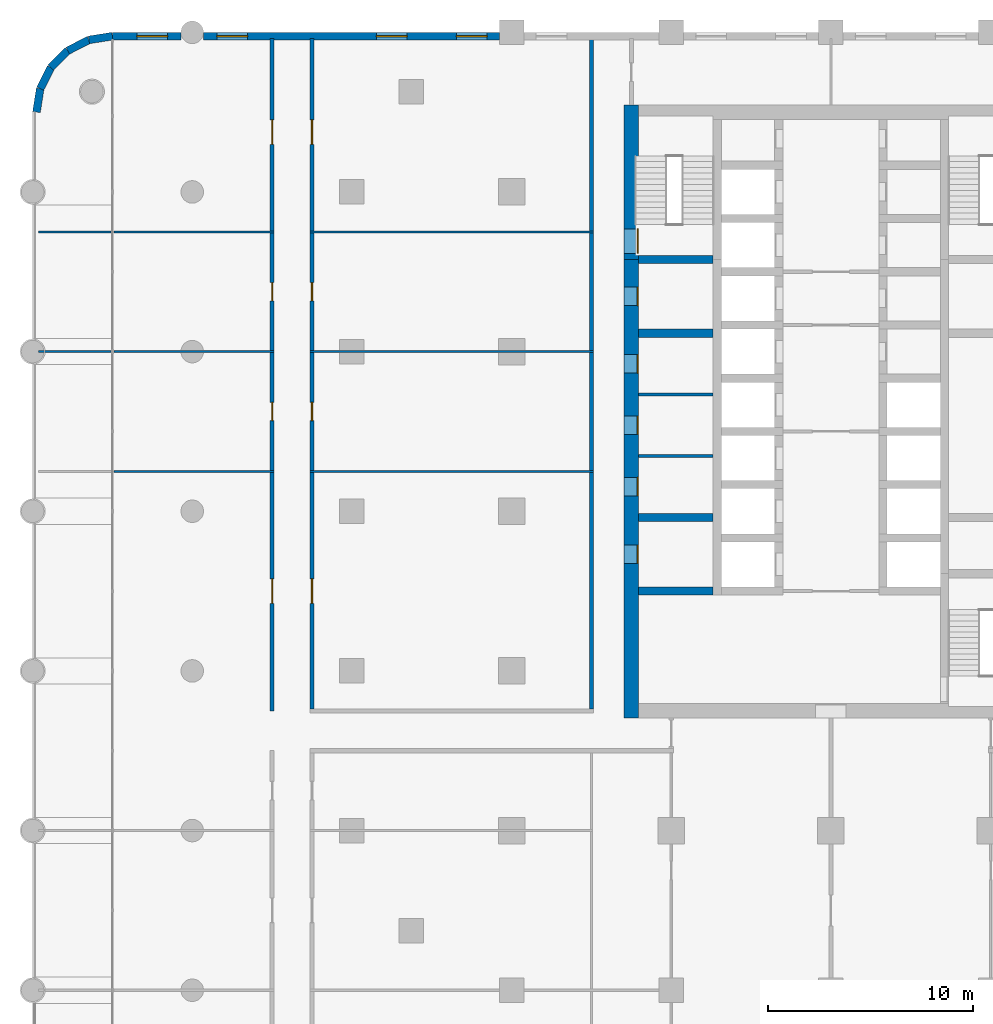
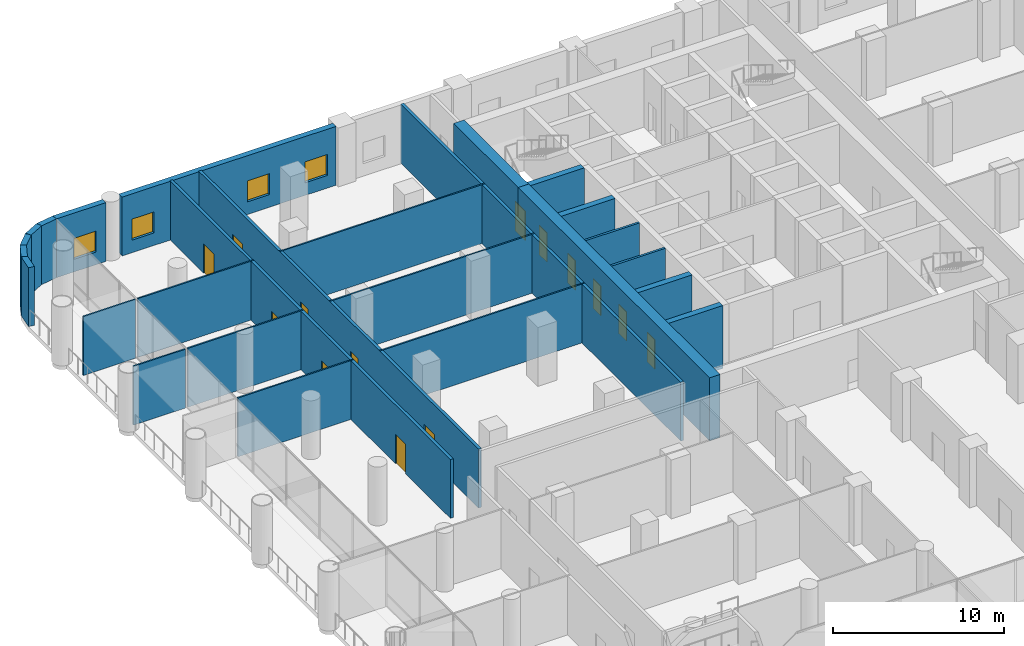
# One storey, part 11 of 24: 26 walls, 14 doors, 4 windows, 18 openings.
"""IFC4 building model written with IfcOpenShell, lengths in metres."""

from ifc_helpers import new_model, si_unit, direction, frame, frame_2d, origin, place, context, subcontext, project, spatial, rectangle, extrude, material, layer, layer_set, type_object, element, fill, save


model = new_model("IFC4")

# Units and contexts
model_context = context("Model", 3, precision=1e-05, world=origin(), true_north=direction((0.0, 1.0)))
body_context = subcontext(model_context, "Body", "Model", "MODEL_VIEW")
ifc_project = project(units=[si_unit("LENGTHUNIT", "METRE"), si_unit("AREAUNIT", "SQUARE_METRE"), si_unit("VOLUMEUNIT", "CUBIC_METRE"), si_unit("PLANEANGLEUNIT", "RADIAN"), si_unit("MASSUNIT", "GRAM", prefix="KILO")], contexts=[model_context])

# Site, building, storey
site_placement = place(None, origin())
site = spatial("IfcSite", under=ifc_project, at=site_placement, CompositionType="ELEMENT")
building_placement = place(site_placement, origin())
building = spatial("IfcBuilding", under=site, at=building_placement, Name="Ludao Terraces", CompositionType="ELEMENT")
storey_placement = place(building_placement, frame((0.0, 0.0, 6.0)))
storey = spatial("IfcBuildingStorey", under=building, at=storey_placement, Name="L01", CompositionType="ELEMENT", Elevation=6.0)

# Wall, openings, doors
ifc_material_1 = material(Name="Concrete C70", Category="concrete")
ifc_layer_1 = layer(ifc_material_1, 0.699951171875)
ifc_layer_set_1 = layer_set([ifc_layer_1], Name="Core wall 700 C70")
wall_type_1 = type_object("IfcWallType", Name="Core wall 700 C70", PredefinedType="SOLIDWALL", material=ifc_layer_set_1)
wall_1_placement = place(storey_placement, frame((75.25, 54.89990234375, -0.300048828125), z_axis=(0.0, 0.0, 1.0), x_axis=(0.0, 1.0, 0.0)))
wall_1 = element("IfcWall", 1, at=wall_1_placement, inside=storey, type_object=wall_type_1, Name="Core wall L01 outer-W", PredefinedType="SOLIDWALL", context=body_context, shape_type="SweptSolid", body=[
    extrude(rectangle(XDim=22.400146484375, YDim=0.699951171875, at=frame_2d((11.2001953125, 0.0))), origin(), (0.0, 0.0, 1.0), 4.5),
])
opening_1_placement = place(wall_1_placement, frame((7.550048828125, 0.0, 0.300048828125)))
opening_1 = element("IfcOpeningElement", 2, at=opening_1_placement, cuts=wall_1, Name="Opening L01-037", PredefinedType="OPENING", context=body_context, shape_type="SweptSolid", body=[
    extrude(rectangle(XDim=0.89990234375, YDim=2.10009765625, at=frame_2d((0.449951171875, 1.050048828125))), frame((0.0, 0.35986328125, 0.0), z_axis=(0.0, -1.0, 0.0), x_axis=(1.0, 0.0, 0.0)), (0.0, 0.0, 1.0), 0.719970703125),
])
opening_2_placement = place(wall_1_placement, frame((10.85009765625, 0.0, 0.300048828125)))
opening_2 = element("IfcOpeningElement", 3, at=opening_2_placement, cuts=wall_1, Name="Opening L01-040", PredefinedType="OPENING", context=body_context, shape_type="SweptSolid", body=[
    extrude(rectangle(XDim=0.89990234375, YDim=2.10009765625, at=frame_2d((0.449951171875, 1.050048828125))), frame((0.0, 0.35986328125, 0.0), z_axis=(0.0, -1.0, 0.0), x_axis=(1.0, 0.0, 0.0)), (0.0, 0.0, 1.0), 0.719970703125),
])
opening_3_placement = place(wall_1_placement, frame((13.85009765625, 0.0, 0.300048828125)))
opening_3 = element("IfcOpeningElement", 4, at=opening_3_placement, cuts=wall_1, Name="Opening L01-045", PredefinedType="OPENING", context=body_context, shape_type="SweptSolid", body=[
    extrude(rectangle(XDim=0.89990234375, YDim=2.10009765625, at=frame_2d((0.449951171875, 1.050048828125))), frame((0.0, 0.35986328125, 0.0), z_axis=(0.0, -1.0, 0.0), x_axis=(1.0, 0.0, 0.0)), (0.0, 0.0, 1.0), 0.719970703125),
])
opening_4_placement = place(wall_1_placement, frame((16.85009765625, 0.0, 0.300048828125)))
opening_4 = element("IfcOpeningElement", 5, at=opening_4_placement, cuts=wall_1, Name="Opening L01-050", PredefinedType="OPENING", context=body_context, shape_type="SweptSolid", body=[
    extrude(rectangle(XDim=0.89990234375, YDim=2.10009765625, at=frame_2d((0.449951171875, 1.050048828125))), frame((0.0, 0.35986328125, 0.0), z_axis=(0.0, -1.0, 0.0), x_axis=(1.0, 0.0, 0.0)), (0.0, 0.0, 1.0), 0.719970703125),
])
opening_5_placement = place(wall_1_placement, frame((20.14990234375, 0.0, 0.300048828125)))
opening_5 = element("IfcOpeningElement", 6, at=opening_5_placement, cuts=wall_1, Name="Opening L01-056", PredefinedType="OPENING", context=body_context, shape_type="SweptSolid", body=[
    extrude(rectangle(XDim=0.89990234375, YDim=2.10009765625, at=frame_2d((0.449951171875, 1.050048828125))), frame((0.0, 0.35986328125, 0.0), z_axis=(0.0, -1.0, 0.0), x_axis=(1.0, 0.0, 0.0)), (0.0, 0.0, 1.0), 0.719970703125),
])
ifc_material_2 = material(Name="Steel Q235", Category="steel")
door_type_1 = type_object("IfcDoorType", Name="INT Riser door 900", OperationType="SINGLE_SWING_LEFT", PredefinedType="DOOR", material=ifc_material_2)
door_1_placement = place(opening_1_placement, origin())
door_1 = element("IfcDoor", 7, at=door_1_placement, inside=storey, type_object=door_type_1, Name="DOOR 037", OperationType="SINGLE_SWING_RIGHT", OverallHeight=2.10009765625, OverallWidth=0.89990234375, PredefinedType="DOOR", context=body_context, shape_type="SweptSolid", body=[
    extrude(rectangle(XDim=0.89990234375, YDim=2.10009765625, at=frame_2d((0.449951171875, 1.050048828125))), frame((0.0, -0.28515625, 0.0), z_axis=(0.0, -1.0, 0.0), x_axis=(1.0, 0.0, 0.0)), (0.0, 0.0, 1.0), 0.050048828125),
])
fill(opening_1, door_1)
door_2_placement = place(opening_5_placement, origin())
door_2 = element("IfcDoor", 8, at=door_2_placement, inside=storey, type_object=door_type_1, Name="DOOR 056", OperationType="SINGLE_SWING_RIGHT", OverallHeight=2.10009765625, OverallWidth=0.89990234375, PredefinedType="DOOR", context=body_context, shape_type="SweptSolid", body=[
    extrude(rectangle(XDim=0.89990234375, YDim=2.10009765625, at=frame_2d((0.449951171875, 1.050048828125))), frame((0.0, -0.28515625, 0.0), z_axis=(0.0, -1.0, 0.0), x_axis=(1.0, 0.0, 0.0)), (0.0, 0.0, 1.0), 0.050048828125),
])
fill(opening_5, door_2)
ifc_material_3 = material(Name="Timber door leaf", Category="wood")
door_type_2 = type_object("IfcDoorType", Name="INT Room door 900", OperationType="SINGLE_SWING_LEFT", PredefinedType="DOOR", material=ifc_material_3)
door_3_placement = place(opening_2_placement, origin())
door_3 = element("IfcDoor", 9, at=door_3_placement, inside=storey, type_object=door_type_2, Name="DOOR 040", OperationType="SINGLE_SWING_RIGHT", OverallHeight=2.10009765625, OverallWidth=0.89990234375, PredefinedType="DOOR", context=body_context, shape_type="SweptSolid", body=[
    extrude(rectangle(XDim=0.89990234375, YDim=2.10009765625, at=frame_2d((0.449951171875, 1.050048828125))), frame((0.0, -0.28515625, 0.0), z_axis=(0.0, -1.0, 0.0), x_axis=(1.0, 0.0, 0.0)), (0.0, 0.0, 1.0), 0.050048828125),
])
fill(opening_2, door_3)
door_4_placement = place(opening_3_placement, origin())
door_4 = element("IfcDoor", 10, at=door_4_placement, inside=storey, type_object=door_type_2, Name="DOOR 045", OperationType="SINGLE_SWING_LEFT", OverallHeight=2.10009765625, OverallWidth=0.89990234375, PredefinedType="DOOR", context=body_context, shape_type="SweptSolid", body=[
    extrude(rectangle(XDim=0.89990234375, YDim=2.10009765625, at=frame_2d((0.449951171875, 1.050048828125))), frame((0.0, -0.28515625, 0.0), z_axis=(0.0, -1.0, 0.0), x_axis=(1.0, 0.0, 0.0)), (0.0, 0.0, 1.0), 0.050048828125),
])
fill(opening_3, door_4)
door_5_placement = place(opening_4_placement, origin())
door_5 = element("IfcDoor", 11, at=door_5_placement, inside=storey, type_object=door_type_2, Name="DOOR 050", OperationType="SINGLE_SWING_LEFT", OverallHeight=2.10009765625, OverallWidth=0.89990234375, PredefinedType="DOOR", context=body_context, shape_type="SweptSolid", body=[
    extrude(rectangle(XDim=0.89990234375, YDim=2.10009765625, at=frame_2d((0.449951171875, 1.050048828125))), frame((0.0, -0.28515625, 0.0), z_axis=(0.0, -1.0, 0.0), x_axis=(1.0, 0.0, 0.0)), (0.0, 0.0, 1.0), 0.050048828125),
])
fill(opening_4, door_5)

# Wall, opening, door
wall_2_placement = place(storey_placement, frame((75.25, 77.300048828125, -0.300048828125), z_axis=(0.0, 0.0, 1.0), x_axis=(0.0, 1.0, 0.0)))
wall_2 = element("IfcWall", 12, at=wall_2_placement, inside=storey, type_object=wall_type_1, Name="Core wall L01 outer-W-S1", PredefinedType="SOLIDWALL", context=body_context, shape_type="SweptSolid", body=[
    extrude(rectangle(XDim=7.550048828125, YDim=0.699951171875, at=frame_2d((3.77490234375, 0.0))), origin(), (0.0, 0.0, 1.0), 4.5),
])
opening_6_placement = place(wall_2_placement, frame((0.300048828125, 0.0, 0.300048828125)))
opening_6 = element("IfcOpeningElement", 13, at=opening_6_placement, cuts=wall_2, Name="Opening L01-065", PredefinedType="OPENING", context=body_context, shape_type="SweptSolid", body=[
    extrude(rectangle(XDim=1.199951171875, YDim=2.10009765625, at=frame_2d((0.60009765625, 1.050048828125))), frame((0.0, 0.35986328125, 0.0), z_axis=(0.0, -1.0, 0.0), x_axis=(1.0, 0.0, 0.0)), (0.0, 0.0, 1.0), 0.719970703125),
])
door_type_3 = type_object("IfcDoorType", Name="INT Stair door 1200", OperationType="DOUBLE_DOOR_SINGLE_SWING", PredefinedType="DOOR", material=ifc_material_2)
door_6_placement = place(opening_6_placement, origin())
door_6 = element("IfcDoor", 14, at=door_6_placement, inside=storey, type_object=door_type_3, Name="DOOR 065", OperationType="DOUBLE_DOOR_SINGLE_SWING", OverallHeight=2.10009765625, OverallWidth=1.199951171875, PredefinedType="DOOR", context=body_context, shape_type="SweptSolid", body=[
    extrude(rectangle(XDim=1.199951171875, YDim=2.10009765625, at=frame_2d((0.60009765625, 1.050048828125))), frame((0.0, -0.28515625, 0.0), z_axis=(0.0, -1.0, 0.0), x_axis=(1.0, 0.0, 0.0)), (0.0, 0.0, 1.0), 0.050048828125),
])
fill(opening_6, door_6)

# Wall, opening, window
ifc_material_4 = material(Name="Granite cladding", Category="masonry")
ifc_layer_2 = layer(ifc_material_4, 0.06005859375, Category="stone")
ifc_material_5 = material(Name="Mineral wool")
ifc_layer_3 = layer(ifc_material_5, 0.06005859375)
ifc_material_6 = material(Name="Concrete C40", Category="concrete")
ifc_layer_4 = layer(ifc_material_6, 0.260009765625, Category="concrete")
ifc_layer_set_2 = layer_set([ifc_layer_2, ifc_layer_3, ifc_layer_4], Name="ENV Stone-clad wall 380")
wall_type_2 = type_object("IfcWallType", Name="ENV Stone-clad wall 380", PredefinedType="SOLIDWALL", material=ifc_layer_set_2)
wall_3_placement = place(storey_placement, frame((49.89990234375, 88.2099609375, 0.0), z_axis=(0.0, 0.0, 1.0), x_axis=(1.0, 0.0, 0.0)))
wall_3 = element("IfcWall", 15, at=wall_3_placement, inside=storey, type_object=wall_type_2, Name="EW-L01-N1", PredefinedType="SOLIDWALL", context=body_context, shape_type="SweptSolid", body=[
    extrude(rectangle(XDim=3.35009765625, YDim=0.3798828125, at=frame_2d((1.675048828125, 0.0))), origin(), (0.0, 0.0, 1.0), 4.199951171875),
])
opening_7_placement = place(wall_3_placement, frame((1.199951171875, 0.0, 0.89990234375)))
opening_7 = element("IfcOpeningElement", 16, at=opening_7_placement, cuts=wall_3, Name="Opening W5", PredefinedType="OPENING", context=body_context, shape_type="SweptSolid", body=[
    extrude(rectangle(XDim=1.5, YDim=1.5, at=frame_2d((0.75, 0.75))), frame((0.0, 0.199951171875, 0.0), z_axis=(0.0, -1.0, 0.0), x_axis=(1.0, 0.0, 0.0)), (0.0, 0.0, 1.0), 0.39990234375),
])
ifc_material_7 = material(Name="Clear glass in aluminium frame", Category="aluminium")
ifc_layer_5 = layer(ifc_material_7, 0.06005859375)
ifc_layer_set_3 = layer_set([ifc_layer_5], Name="ENV Window W5 1500x1500")
window_type = type_object("IfcWindowType", Name="ENV Window W5 1500x1500", PartitioningType="SINGLE_PANEL", PredefinedType="WINDOW", material=ifc_layer_set_3)
window_1_placement = place(opening_7_placement, origin())
window_1 = element("IfcWindow", 17, at=window_1_placement, inside=storey, type_object=window_type, Name="W-L01-N1-1", OverallHeight=1.5, OverallWidth=1.5, PartitioningType="SINGLE_PANEL", PredefinedType="WINDOW", context=body_context, shape_type="SweptSolid", body=[
    extrude(rectangle(XDim=1.5, YDim=1.5, at=frame_2d((0.75, 0.75))), frame((0.0, 0.030029296875, 0.0), z_axis=(0.0, -1.0, 0.0), x_axis=(1.0, 0.0, 0.0)), (0.0, 0.0, 1.0), 0.06005859375),
])
fill(opening_7, window_1)

# Wall, openings, windows
wall_4_placement = place(storey_placement, frame((54.35009765625, 88.2099609375, 0.0), z_axis=(0.0, 0.0, 1.0), x_axis=(1.0, 0.0, 0.0)))
wall_4 = element("IfcWall", 18, at=wall_4_placement, inside=storey, type_object=wall_type_2, Name="EW-L01-N2", PredefinedType="SOLIDWALL", context=body_context, shape_type="SweptSolid", body=[
    extrude(rectangle(XDim=14.449951171875, YDim=0.3798828125, at=frame_2d((7.22509765625, 0.0))), origin(), (0.0, 0.0, 1.0), 4.199951171875),
])
opening_8_placement = place(wall_4_placement, frame((0.64990234375, 0.0, 0.89990234375)))
opening_8 = element("IfcOpeningElement", 19, at=opening_8_placement, cuts=wall_4, Name="Opening W5", PredefinedType="OPENING", context=body_context, shape_type="SweptSolid", body=[
    extrude(rectangle(XDim=1.5, YDim=1.5, at=frame_2d((0.75, 0.75))), frame((0.0, 0.199951171875, 0.0), z_axis=(0.0, -1.0, 0.0), x_axis=(1.0, 0.0, 0.0)), (0.0, 0.0, 1.0), 0.39990234375),
])
opening_9_placement = place(wall_4_placement, frame((8.449951171875, 0.0, 0.89990234375)))
opening_9 = element("IfcOpeningElement", 20, at=opening_9_placement, cuts=wall_4, Name="Opening W5", PredefinedType="OPENING", context=body_context, shape_type="SweptSolid", body=[
    extrude(rectangle(XDim=1.5, YDim=1.5, at=frame_2d((0.75, 0.75))), frame((0.0, 0.199951171875, 0.0), z_axis=(0.0, -1.0, 0.0), x_axis=(1.0, 0.0, 0.0)), (0.0, 0.0, 1.0), 0.39990234375),
])
opening_10_placement = place(wall_4_placement, frame((12.35009765625, 0.0, 0.89990234375)))
opening_10 = element("IfcOpeningElement", 21, at=opening_10_placement, cuts=wall_4, Name="Opening W5", PredefinedType="OPENING", context=body_context, shape_type="SweptSolid", body=[
    extrude(rectangle(XDim=1.5, YDim=1.5, at=frame_2d((0.75, 0.75))), frame((0.0, 0.199951171875, 0.0), z_axis=(0.0, -1.0, 0.0), x_axis=(1.0, 0.0, 0.0)), (0.0, 0.0, 1.0), 0.39990234375),
])
window_2_placement = place(opening_8_placement, origin())
window_2 = element("IfcWindow", 22, at=window_2_placement, inside=storey, type_object=window_type, Name="W-L01-N2-1", OverallHeight=1.5, OverallWidth=1.5, PartitioningType="SINGLE_PANEL", PredefinedType="WINDOW", context=body_context, shape_type="SweptSolid", body=[
    extrude(rectangle(XDim=1.5, YDim=1.5, at=frame_2d((0.75, 0.75))), frame((0.0, 0.030029296875, 0.0), z_axis=(0.0, -1.0, 0.0), x_axis=(1.0, 0.0, 0.0)), (0.0, 0.0, 1.0), 0.06005859375),
])
fill(opening_8, window_2)
window_3_placement = place(opening_9_placement, origin())
window_3 = element("IfcWindow", 23, at=window_3_placement, inside=storey, type_object=window_type, Name="W-L01-N2-2", OverallHeight=1.5, OverallWidth=1.5, PartitioningType="SINGLE_PANEL", PredefinedType="WINDOW", context=body_context, shape_type="SweptSolid", body=[
    extrude(rectangle(XDim=1.5, YDim=1.5, at=frame_2d((0.75, 0.75))), frame((0.0, 0.030029296875, 0.0), z_axis=(0.0, -1.0, 0.0), x_axis=(1.0, 0.0, 0.0)), (0.0, 0.0, 1.0), 0.06005859375),
])
fill(opening_9, window_3)
window_4_placement = place(opening_10_placement, origin())
window_4 = element("IfcWindow", 24, at=window_4_placement, inside=storey, type_object=window_type, Name="W-L01-N2-3", OverallHeight=1.5, OverallWidth=1.5, PartitioningType="SINGLE_PANEL", PredefinedType="WINDOW", context=body_context, shape_type="SweptSolid", body=[
    extrude(rectangle(XDim=1.5, YDim=1.5, at=frame_2d((0.75, 0.75))), frame((0.0, 0.030029296875, 0.0), z_axis=(0.0, -1.0, 0.0), x_axis=(1.0, 0.0, 0.0)), (0.0, 0.0, 1.0), 0.06005859375),
])
fill(opening_10, window_4)

# Walls
wall_5_placement = place(storey_placement, frame((49.89990234375, 88.2099609375, 0.0), z_axis=(0.0, 0.0, 1.0), x_axis=(-0.987675821844, -0.156513484867, 0.0)))
element("IfcWall", 25, at=wall_5_placement, inside=storey, type_object=wall_type_2, Name="EW-L01-NW1", PredefinedType="SOLIDWALL", context=body_context, shape_type="SweptSolid", body=[
    extrude(rectangle(XDim=1.16064453125, YDim=0.3798828125, at=frame_2d((0.580322265625, 0.0))), origin(), (0.0, 0.0, 1.0), 4.199951171875),
])
for number, where, z_axis, x_axis, name in (
    (26, (48.753662109375, 88.0283203125, 0.0), (0.0, 0.0, 1.0), (-0.891079617357, -0.453847017762, 0.0), "EW-L01-NW2"),
    (27, (47.71923828125, 87.50146484375, 0.0), (0.0, 0.0, 1.0), (-0.707106781187, -0.707106781187, 0.0), "EW-L01-NW3"),
):
    element("IfcWall", number, at=place(storey_placement, frame(where, z_axis=z_axis, x_axis=x_axis)), inside=storey, type_object=wall_type_2, Name=name, PredefinedType="SOLIDWALL", context=body_context, shape_type="SweptSolid", body=[
        extrude(rectangle(XDim=1.160888671875, YDim=0.3798828125, at=frame_2d((0.58056640625, 0.0))), origin(), (0.0, 0.0, 1.0), 4.199951171875),
    ])
wall_6_placement = place(storey_placement, frame((46.8984375, 86.6806640625, 0.0), z_axis=(0.0, 0.0, 1.0), x_axis=(-0.453932083539, -0.891036286317, 0.0)))
element("IfcWall", 28, at=wall_6_placement, inside=storey, type_object=wall_type_2, Name="EW-L01-NW4", PredefinedType="SOLIDWALL", context=body_context, shape_type="SweptSolid", body=[
    extrude(rectangle(XDim=1.16064453125, YDim=0.3798828125, at=frame_2d((0.580322265625, 0.0))), origin(), (0.0, 0.0, 1.0), 4.199951171875),
])
wall_7_placement = place(storey_placement, frame((46.37158203125, 85.646484375, 0.0), z_axis=(0.0, 0.0, 1.0), x_axis=(-0.156480971952, -0.987680973502, 0.0)))
element("IfcWall", 29, at=wall_7_placement, inside=storey, type_object=wall_type_2, Name="EW-L01-NW5", PredefinedType="SOLIDWALL", context=body_context, shape_type="SweptSolid", body=[
    extrude(rectangle(XDim=1.160888671875, YDim=0.3798828125, at=frame_2d((0.58056640625, 0.0))), origin(), (0.0, 0.0, 1.0), 4.199951171875),
])
ifc_material_8 = material(Name="Fire-rated gypsum plasterboard", Category="gypsum")
ifc_layer_6 = layer(ifc_material_8, 0.012451171875, Category="gypsum")
ifc_layer_7 = layer(ifc_material_5, 0.10009765625, Name="insulation")
ifc_layer_8 = layer(ifc_material_2, 0.02490234375, Name="stud")
ifc_layer_9 = layer(ifc_material_8, 0.012451171875, Category="gypsum")
ifc_layer_set_4 = layer_set([ifc_layer_6, ifc_layer_7, ifc_layer_8, ifc_layer_9], Name="INT Core partition 150")
wall_type_3 = type_object("IfcWallType", Name="INT Core partition 150", PredefinedType="PARTITIONING", material=ifc_layer_set_4)
for number, where, z_axis, x_axis, name in (
    (30, (75.60009765625, 67.699951171875, 0.0), (0.0, 0.0, 1.0), (1.0, 0.0, 0.0), "PW-L01-PW032"),
    (31, (75.60009765625, 70.699951171875, 0.0), (0.0, 0.0, 1.0), (1.0, 0.0, 0.0), "PW-L01-PW034"),
):
    element("IfcWall", number, at=place(storey_placement, frame(where, z_axis=z_axis, x_axis=x_axis)), inside=storey, type_object=wall_type_3, Name=name, PredefinedType="PARTITIONING", context=body_context, shape_type="SweptSolid", body=[
        extrude(rectangle(XDim=3.64990234375, YDim=0.14990234375, at=frame_2d((1.824951171875, 0.0))), origin(), (0.0, 0.0, 1.0), 4.199951171875),
    ])

# Wall, openings, doors
ifc_material_9 = material(Name="Autoclaved aerated concrete block B06 A3.5", Category="concrete")
ifc_layer_10 = layer(ifc_material_9, 0.199951171875)
ifc_layer_set_5 = layer_set([ifc_layer_10], Name="INT Entrance wall 200")
wall_type_4 = type_object("IfcWallType", Name="INT Entrance wall 200", PredefinedType="PARTITIONING", material=ifc_layer_set_5)
wall_8_placement = place(storey_placement, frame((57.699951171875, 55.25, 0.0), z_axis=(0.0, 0.0, 1.0), x_axis=(0.0, 1.0, 0.0)))
wall_8 = element("IfcWall", 32, at=wall_8_placement, inside=storey, type_object=wall_type_4, Name="PW-L01-PW051", PredefinedType="PARTITIONING", context=body_context, shape_type="SweptSolid", body=[
    extrude(rectangle(XDim=32.85009765625, YDim=0.199951171875, at=frame_2d((16.425048828125, 0.0))), origin(), (0.0, 0.0, 1.0), 4.199951171875),
])
opening_11_placement = place(wall_8_placement, frame((5.25, 0.0, 0.0)))
opening_11 = element("IfcOpeningElement", 33, at=opening_11_placement, cuts=wall_8, Name="Opening L01-032", PredefinedType="OPENING", context=body_context, shape_type="SweptSolid", body=[
    extrude(rectangle(XDim=1.199951171875, YDim=2.10009765625, at=frame_2d((0.60009765625, 1.050048828125))), frame((0.0, 0.10986328125, 0.0), z_axis=(0.0, -1.0, 0.0), x_axis=(1.0, 0.0, 0.0)), (0.0, 0.0, 1.0), 0.219970703125),
])
opening_12_placement = place(wall_8_placement, frame((14.175048828125, 0.0, 0.0)))
opening_12 = element("IfcOpeningElement", 34, at=opening_12_placement, cuts=wall_8, Name="Opening L01-047", PredefinedType="OPENING", context=body_context, shape_type="SweptSolid", body=[
    extrude(rectangle(XDim=0.89990234375, YDim=2.10009765625, at=frame_2d((0.449951171875, 1.050048828125))), frame((0.0, 0.10986328125, 0.0), z_axis=(0.0, -1.0, 0.0), x_axis=(1.0, 0.0, 0.0)), (0.0, 0.0, 1.0), 0.219970703125),
])
opening_13_placement = place(wall_8_placement, frame((20.025146484375, 0.0, 0.0)))
opening_13 = element("IfcOpeningElement", 35, at=opening_13_placement, cuts=wall_8, Name="Opening L01-058", PredefinedType="OPENING", context=body_context, shape_type="SweptSolid", body=[
    extrude(rectangle(XDim=0.89990234375, YDim=2.10009765625, at=frame_2d((0.449951171875, 1.050048828125))), frame((0.0, 0.10986328125, 0.0), z_axis=(0.0, -1.0, 0.0), x_axis=(1.0, 0.0, 0.0)), (0.0, 0.0, 1.0), 0.219970703125),
])
opening_14_placement = place(wall_8_placement, frame((27.675048828125, 0.0, 0.0)))
opening_14 = element("IfcOpeningElement", 36, at=opening_14_placement, cuts=wall_8, Name="Opening L01-071", PredefinedType="OPENING", context=body_context, shape_type="SweptSolid", body=[
    extrude(rectangle(XDim=1.199951171875, YDim=2.10009765625, at=frame_2d((0.60009765625, 1.050048828125))), frame((0.0, 0.10986328125, 0.0), z_axis=(0.0, -1.0, 0.0), x_axis=(1.0, 0.0, 0.0)), (0.0, 0.0, 1.0), 0.219970703125),
])
door_type_4 = type_object("IfcDoorType", Name="INT Double door 1200", OperationType="DOUBLE_DOOR_SINGLE_SWING", PredefinedType="DOOR", material=ifc_material_3)
door_7_placement = place(opening_11_placement, origin())
door_7 = element("IfcDoor", 37, at=door_7_placement, inside=storey, type_object=door_type_4, Name="DOOR 032", OperationType="DOUBLE_DOOR_SINGLE_SWING", OverallHeight=2.10009765625, OverallWidth=1.199951171875, PredefinedType="DOOR", context=body_context, shape_type="SweptSolid", body=[
    extrude(rectangle(XDim=1.199951171875, YDim=2.10009765625, at=frame_2d((0.60009765625, 1.050048828125))), frame((0.0, 0.02490234375, 0.0), z_axis=(0.0, -1.0, 0.0), x_axis=(1.0, 0.0, 0.0)), (0.0, 0.0, 1.0), 0.050048828125),
])
fill(opening_11, door_7)
door_8_placement = place(opening_14_placement, origin())
door_8 = element("IfcDoor", 38, at=door_8_placement, inside=storey, type_object=door_type_4, Name="DOOR 071", OperationType="DOUBLE_DOOR_SINGLE_SWING", OverallHeight=2.10009765625, OverallWidth=1.199951171875, PredefinedType="DOOR", context=body_context, shape_type="SweptSolid", body=[
    extrude(rectangle(XDim=1.199951171875, YDim=2.10009765625, at=frame_2d((0.60009765625, 1.050048828125))), frame((0.0, 0.02490234375, 0.0), z_axis=(0.0, -1.0, 0.0), x_axis=(1.0, 0.0, 0.0)), (0.0, 0.0, 1.0), 0.050048828125),
])
fill(opening_14, door_8)
door_9_placement = place(opening_12_placement, origin())
door_9 = element("IfcDoor", 39, at=door_9_placement, inside=storey, type_object=door_type_2, Name="DOOR 047", OperationType="SINGLE_SWING_RIGHT", OverallHeight=2.10009765625, OverallWidth=0.89990234375, PredefinedType="DOOR", context=body_context, shape_type="SweptSolid", body=[
    extrude(rectangle(XDim=0.89990234375, YDim=2.10009765625, at=frame_2d((0.449951171875, 1.050048828125))), frame((0.0, 0.02490234375, 0.0), z_axis=(0.0, -1.0, 0.0), x_axis=(1.0, 0.0, 0.0)), (0.0, 0.0, 1.0), 0.050048828125),
])
fill(opening_12, door_9)
door_10_placement = place(opening_13_placement, origin())
door_10 = element("IfcDoor", 40, at=door_10_placement, inside=storey, type_object=door_type_2, Name="DOOR 058", OperationType="SINGLE_SWING_RIGHT", OverallHeight=2.10009765625, OverallWidth=0.89990234375, PredefinedType="DOOR", context=body_context, shape_type="SweptSolid", body=[
    extrude(rectangle(XDim=0.89990234375, YDim=2.10009765625, at=frame_2d((0.449951171875, 1.050048828125))), frame((0.0, 0.02490234375, 0.0), z_axis=(0.0, -1.0, 0.0), x_axis=(1.0, 0.0, 0.0)), (0.0, 0.0, 1.0), 0.050048828125),
])
fill(opening_13, door_10)

wall_9_placement = place(storey_placement, frame((59.64990234375, 55.35009765625, 0.0), z_axis=(0.0, 0.0, 1.0), x_axis=(0.0, 1.0, 0.0)))
wall_9 = element("IfcWall", 41, at=wall_9_placement, inside=storey, type_object=wall_type_4, Name="PW-L01-PW053", PredefinedType="PARTITIONING", context=body_context, shape_type="SweptSolid", body=[
    extrude(rectangle(XDim=32.75, YDim=0.199951171875, at=frame_2d((16.375, 0.0))), origin(), (0.0, 0.0, 1.0), 4.199951171875),
])
opening_15_placement = place(wall_9_placement, frame((5.14990234375, 0.0, 0.0)))
opening_15 = element("IfcOpeningElement", 42, at=opening_15_placement, cuts=wall_9, Name="Opening L01-033", PredefinedType="OPENING", context=body_context, shape_type="SweptSolid", body=[
    extrude(rectangle(XDim=1.199951171875, YDim=2.10009765625, at=frame_2d((0.60009765625, 1.050048828125))), frame((0.0, 0.10986328125, 0.0), z_axis=(0.0, -1.0, 0.0), x_axis=(1.0, 0.0, 0.0)), (0.0, 0.0, 1.0), 0.219970703125),
])
opening_16_placement = place(wall_9_placement, frame((14.074951171875, 0.0, 0.0)))
opening_16 = element("IfcOpeningElement", 43, at=opening_16_placement, cuts=wall_9, Name="Opening L01-048", PredefinedType="OPENING", context=body_context, shape_type="SweptSolid", body=[
    extrude(rectangle(XDim=0.89990234375, YDim=2.10009765625, at=frame_2d((0.449951171875, 1.050048828125))), frame((0.0, 0.10986328125, 0.0), z_axis=(0.0, -1.0, 0.0), x_axis=(1.0, 0.0, 0.0)), (0.0, 0.0, 1.0), 0.219970703125),
])
opening_17_placement = place(wall_9_placement, frame((19.925048828125, 0.0, 0.0)))
opening_17 = element("IfcOpeningElement", 44, at=opening_17_placement, cuts=wall_9, Name="Opening L01-059", PredefinedType="OPENING", context=body_context, shape_type="SweptSolid", body=[
    extrude(rectangle(XDim=0.89990234375, YDim=2.10009765625, at=frame_2d((0.449951171875, 1.050048828125))), frame((0.0, 0.10986328125, 0.0), z_axis=(0.0, -1.0, 0.0), x_axis=(1.0, 0.0, 0.0)), (0.0, 0.0, 1.0), 0.219970703125),
])
opening_18_placement = place(wall_9_placement, frame((27.574951171875, 0.0, 0.0)))
opening_18 = element("IfcOpeningElement", 45, at=opening_18_placement, cuts=wall_9, Name="Opening L01-072", PredefinedType="OPENING", context=body_context, shape_type="SweptSolid", body=[
    extrude(rectangle(XDim=1.199951171875, YDim=2.10009765625, at=frame_2d((0.60009765625, 1.050048828125))), frame((0.0, 0.10986328125, 0.0), z_axis=(0.0, -1.0, 0.0), x_axis=(1.0, 0.0, 0.0)), (0.0, 0.0, 1.0), 0.219970703125),
])
door_11_placement = place(opening_15_placement, origin())
door_11 = element("IfcDoor", 46, at=door_11_placement, inside=storey, type_object=door_type_4, Name="DOOR 033", OperationType="DOUBLE_DOOR_SINGLE_SWING", OverallHeight=2.10009765625, OverallWidth=1.199951171875, PredefinedType="DOOR", context=body_context, shape_type="SweptSolid", body=[
    extrude(rectangle(XDim=1.199951171875, YDim=2.10009765625, at=frame_2d((0.60009765625, 1.050048828125))), frame((0.0, 0.02490234375, 0.0), z_axis=(0.0, -1.0, 0.0), x_axis=(1.0, 0.0, 0.0)), (0.0, 0.0, 1.0), 0.050048828125),
])
fill(opening_15, door_11)
door_12_placement = place(opening_18_placement, origin())
door_12 = element("IfcDoor", 47, at=door_12_placement, inside=storey, type_object=door_type_4, Name="DOOR 072", OperationType="DOUBLE_DOOR_SINGLE_SWING", OverallHeight=2.10009765625, OverallWidth=1.199951171875, PredefinedType="DOOR", context=body_context, shape_type="SweptSolid", body=[
    extrude(rectangle(XDim=1.199951171875, YDim=2.10009765625, at=frame_2d((0.60009765625, 1.050048828125))), frame((0.0, 0.02490234375, 0.0), z_axis=(0.0, -1.0, 0.0), x_axis=(1.0, 0.0, 0.0)), (0.0, 0.0, 1.0), 0.050048828125),
])
fill(opening_18, door_12)
door_13_placement = place(opening_16_placement, origin())
door_13 = element("IfcDoor", 48, at=door_13_placement, inside=storey, type_object=door_type_2, Name="DOOR 048", OperationType="SINGLE_SWING_RIGHT", OverallHeight=2.10009765625, OverallWidth=0.89990234375, PredefinedType="DOOR", context=body_context, shape_type="SweptSolid", body=[
    extrude(rectangle(XDim=0.89990234375, YDim=2.10009765625, at=frame_2d((0.449951171875, 1.050048828125))), frame((0.0, 0.02490234375, 0.0), z_axis=(0.0, -1.0, 0.0), x_axis=(1.0, 0.0, 0.0)), (0.0, 0.0, 1.0), 0.050048828125),
])
fill(opening_16, door_13)
door_14_placement = place(opening_17_placement, origin())
door_14 = element("IfcDoor", 49, at=door_14_placement, inside=storey, type_object=door_type_2, Name="DOOR 059", OperationType="SINGLE_SWING_RIGHT", OverallHeight=2.10009765625, OverallWidth=0.89990234375, PredefinedType="DOOR", context=body_context, shape_type="SweptSolid", body=[
    extrude(rectangle(XDim=0.89990234375, YDim=2.10009765625, at=frame_2d((0.449951171875, 1.050048828125))), frame((0.0, 0.02490234375, 0.0), z_axis=(0.0, -1.0, 0.0), x_axis=(1.0, 0.0, 0.0)), (0.0, 0.0, 1.0), 0.050048828125),
])
fill(opening_17, door_14)

# Walls
wall_10_placement = place(storey_placement, frame((73.300048828125, 55.35009765625, 0.0), z_axis=(0.0, 0.0, 1.0), x_axis=(0.0, 1.0, 0.0)))
element("IfcWall", 50, at=wall_10_placement, inside=storey, type_object=wall_type_4, Name="PW-L01-PW055", PredefinedType="PARTITIONING", context=body_context, shape_type="SweptSolid", body=[
    extrude(rectangle(XDim=32.75, YDim=0.199951171875, at=frame_2d((16.375, 0.0))), origin(), (0.0, 0.0, 1.0), 4.199951171875),
])
ifc_material_10 = material(Name="Gypsum plasterboard", Category="gypsum")
ifc_layer_11 = layer(ifc_material_10, 0.012451171875, Category="gypsum")
ifc_layer_12 = layer(ifc_material_5, 0.06005859375, Name="insulation")
ifc_layer_13 = layer(ifc_material_2, 0.014892578125, Name="stud")
ifc_layer_14 = layer(ifc_material_10, 0.012451171875, Category="gypsum")
ifc_layer_set_6 = layer_set([ifc_layer_11, ifc_layer_12, ifc_layer_13, ifc_layer_14], Name="INT Partition 100")
wall_type_5 = type_object("IfcWallType", Name="INT Partition 100", PredefinedType="PARTITIONING", material=ifc_layer_set_6)
wall_11_placement = place(storey_placement, frame((49.97998046875, 66.949951171875, 0.0), z_axis=(0.0, 0.0, 1.0), x_axis=(1.0, 0.0, 0.0)))
element("IfcWall", 51, at=wall_11_placement, inside=storey, type_object=wall_type_5, Name="PW-L01-PW030", PredefinedType="PARTITIONING", context=body_context, shape_type="SweptSolid", body=[
    extrude(rectangle(XDim=7.820068359375, YDim=0.10009765625, at=frame_2d((3.91015625, 0.0))), origin(), (0.0, 0.0, 1.0), 4.199951171875),
])
wall_12_placement = place(storey_placement, frame((59.550048828125, 66.949951171875, 0.0), z_axis=(0.0, 0.0, 1.0), x_axis=(1.0, 0.0, 0.0)))
element("IfcWall", 52, at=wall_12_placement, inside=storey, type_object=wall_type_5, Name="PW-L01-PW031", PredefinedType="PARTITIONING", context=body_context, shape_type="SweptSolid", body=[
    extrude(rectangle(XDim=13.85009765625, YDim=0.10009765625, at=frame_2d((6.925048828125, 0.0))), origin(), (0.0, 0.0, 1.0), 4.199951171875),
])
wall_13_placement = place(storey_placement, frame((46.300048828125, 72.800048828125, 0.0), z_axis=(0.0, 0.0, 1.0), x_axis=(1.0, 0.0, 0.0)))
element("IfcWall", 53, at=wall_13_placement, inside=storey, type_object=wall_type_5, Name="PW-L01-PW035", PredefinedType="PARTITIONING", context=body_context, shape_type="SweptSolid", body=[
    extrude(rectangle(XDim=3.52001953125, YDim=0.10009765625, at=frame_2d((1.760009765625, 0.0))), origin(), (0.0, 0.0, 1.0), 4.199951171875),
])
wall_14_placement = place(storey_placement, frame((49.97998046875, 72.800048828125, 0.0), z_axis=(0.0, 0.0, 1.0), x_axis=(1.0, 0.0, 0.0)))
element("IfcWall", 54, at=wall_14_placement, inside=storey, type_object=wall_type_5, Name="PW-L01-PW036", PredefinedType="PARTITIONING", context=body_context, shape_type="SweptSolid", body=[
    extrude(rectangle(XDim=7.820068359375, YDim=0.10009765625, at=frame_2d((3.91015625, 0.0))), origin(), (0.0, 0.0, 1.0), 4.199951171875),
])
wall_15_placement = place(storey_placement, frame((59.550048828125, 72.800048828125, 0.0), z_axis=(0.0, 0.0, 1.0), x_axis=(1.0, 0.0, 0.0)))
element("IfcWall", 55, at=wall_15_placement, inside=storey, type_object=wall_type_5, Name="PW-L01-PW037", PredefinedType="PARTITIONING", context=body_context, shape_type="SweptSolid", body=[
    extrude(rectangle(XDim=13.85009765625, YDim=0.10009765625, at=frame_2d((6.925048828125, 0.0))), origin(), (0.0, 0.0, 1.0), 4.199951171875),
])
wall_16_placement = place(storey_placement, frame((46.300048828125, 78.64990234375, 0.0), z_axis=(0.0, 0.0, 1.0), x_axis=(1.0, 0.0, 0.0)))
element("IfcWall", 56, at=wall_16_placement, inside=storey, type_object=wall_type_5, Name="PW-L01-PW043", PredefinedType="PARTITIONING", context=body_context, shape_type="SweptSolid", body=[
    extrude(rectangle(XDim=3.52001953125, YDim=0.10009765625, at=frame_2d((1.760009765625, 0.0))), origin(), (0.0, 0.0, 1.0), 4.199951171875),
])
wall_17_placement = place(storey_placement, frame((49.97998046875, 78.64990234375, 0.0), z_axis=(0.0, 0.0, 1.0), x_axis=(1.0, 0.0, 0.0)))
element("IfcWall", 57, at=wall_17_placement, inside=storey, type_object=wall_type_5, Name="PW-L01-PW044", PredefinedType="PARTITIONING", context=body_context, shape_type="SweptSolid", body=[
    extrude(rectangle(XDim=7.820068359375, YDim=0.10009765625, at=frame_2d((3.91015625, 0.0))), origin(), (0.0, 0.0, 1.0), 4.199951171875),
])
wall_18_placement = place(storey_placement, frame((59.550048828125, 78.64990234375, 0.0), z_axis=(0.0, 0.0, 1.0), x_axis=(1.0, 0.0, 0.0)))
element("IfcWall", 58, at=wall_18_placement, inside=storey, type_object=wall_type_5, Name="PW-L01-PW045", PredefinedType="PARTITIONING", context=body_context, shape_type="SweptSolid", body=[
    extrude(rectangle(XDim=13.85009765625, YDim=0.10009765625, at=frame_2d((6.925048828125, 0.0))), origin(), (0.0, 0.0, 1.0), 4.199951171875),
])
ifc_material_11 = material(Name="Concrete C60", Category="concrete")
ifc_layer_15 = layer(ifc_material_11, 0.39990234375)
ifc_layer_set_7 = layer_set([ifc_layer_15], Name="Shaft wall 400 C60")
wall_type_6 = type_object("IfcWallType", Name="Shaft wall 400 C60", PredefinedType="SOLIDWALL", material=ifc_layer_set_7)
for number, where, z_axis, x_axis, name in (
    (59, (75.60009765625, 61.10009765625, -0.300048828125), (0.0, 0.0, 1.0), (1.0, 0.0, 0.0), "Core wall L01 hall-W"),
    (60, (75.60009765625, 64.699951171875, -0.300048828125), (0.0, 0.0, 1.0), (1.0, 0.0, 0.0), "Core wall L01 riser-a-W"),
    (61, (75.60009765625, 73.699951171875, -0.300048828125), (0.0, 0.0, 1.0), (1.0, 0.0, 0.0), "Core wall L01 riser-b-W"),
    (62, (75.60009765625, 77.300048828125, -0.300048828125), (0.0, 0.0, 1.0), (1.0, 0.0, 0.0), "Core wall L01 stair-W"),
):
    element("IfcWall", number, at=place(storey_placement, frame(where, z_axis=z_axis, x_axis=x_axis)), inside=storey, type_object=wall_type_6, Name=name, PredefinedType="SOLIDWALL", context=body_context, shape_type="SweptSolid", body=[
        extrude(rectangle(XDim=3.64990234375, YDim=0.39990234375, at=frame_2d((1.824951171875, 0.0))), origin(), (0.0, 0.0, 1.0), 4.5),
    ])

save(model, "model.ifc")
